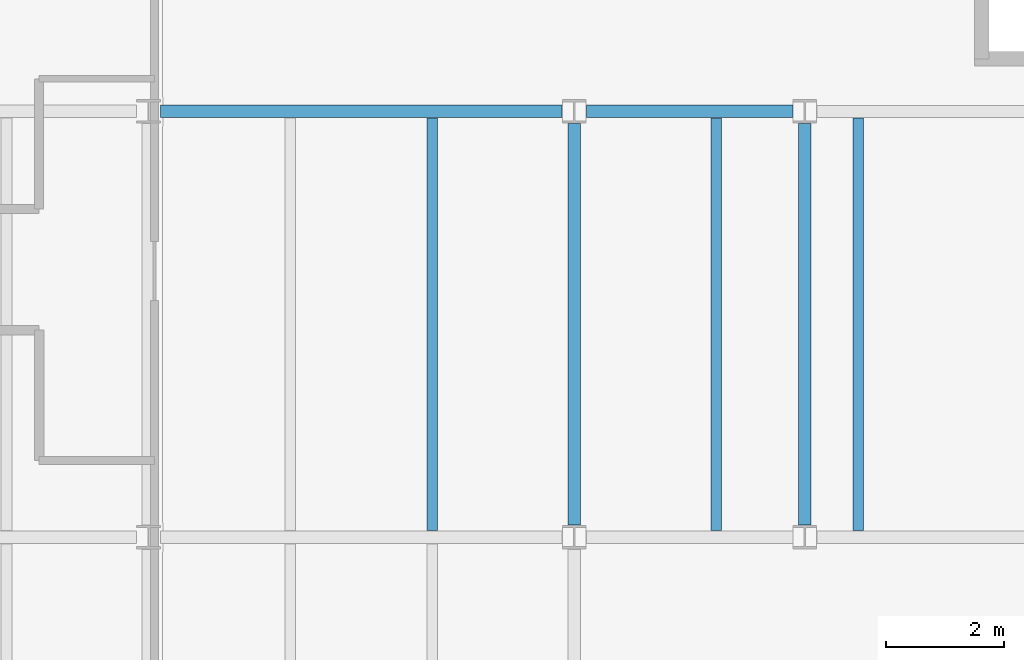
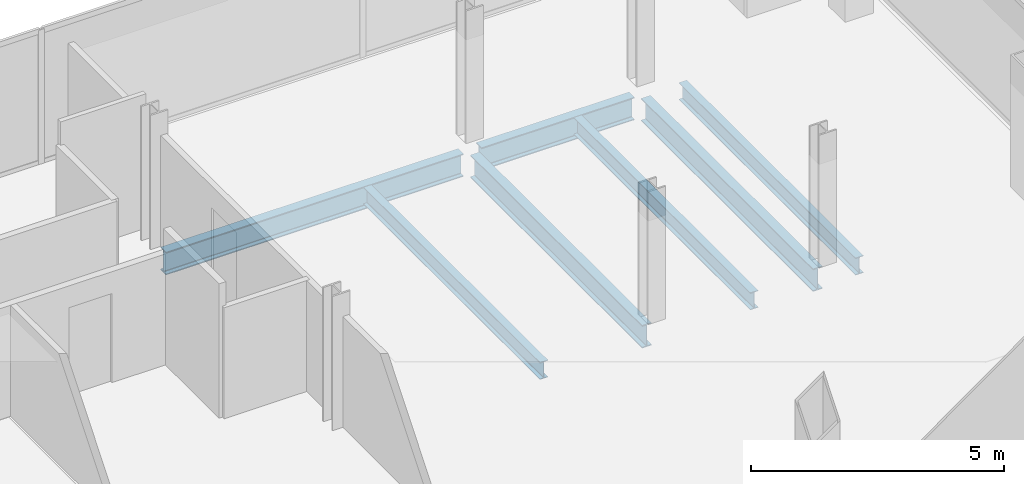
# One storey, part 15 of 23: 7 beams.
"""IFC4 building model written with IfcOpenShell, lengths in metres."""

from ifc_helpers import new_model, si_unit, direction, frame, origin, origin_2d, place, context, subcontext, project, spatial, i_section, extrude, material, material_profile, profile_set, type_object, element, save


model = new_model("IFC4")

# Units and contexts
model_context = context("Model", 3, precision=1e-05, world=origin(), true_north=direction((0.0, 1.0)))
body_context = subcontext(model_context, "Body", "Model", "MODEL_VIEW")
ifc_project = project(units=[si_unit("LENGTHUNIT", "METRE"), si_unit("AREAUNIT", "SQUARE_METRE"), si_unit("VOLUMEUNIT", "CUBIC_METRE"), si_unit("PLANEANGLEUNIT", "RADIAN"), si_unit("MASSUNIT", "GRAM", prefix="KILO")], contexts=[model_context])

# Site, building, storey
site_placement = place(None, origin())
site = spatial("IfcSite", under=ifc_project, at=site_placement, CompositionType="ELEMENT")
building_placement = place(site_placement, origin())
building = spatial("IfcBuilding", under=site, at=building_placement, Name="Cobrela Telecom Tower", CompositionType="ELEMENT")
storey_placement = place(building_placement, frame((0.0, 0.0, 262.14990234375)))
storey = spatial("IfcBuildingStorey", under=building, at=storey_placement, Name="L68", CompositionType="ELEMENT", Elevation=262.14990234375)

# Beams
ifc_material = material(Name="Steel ASTM A992 Grade 50", Category="steel")
ifc_material_profile_1 = material_profile(ifc_material, i_section(OverallWidth=0.212890625, OverallDepth=0.549072265625, WebThickness=0.0146484375, FlangeThickness=0.023681640625, FilletRadius=0.013916015625, at=origin_2d()), Name="W21X93")
ifc_profile_set_1 = profile_set([ifc_material_profile_1], Name="Steel ASTM A992 Grade 50")
beam_type_1 = type_object("IfcBeamType", Name="BM-GIRD-08", PredefinedType="USERDEFINED", material=ifc_profile_set_1)
beam_1_placement = place(storey_placement, frame((29.00439453125, 21.60009765625, -0.534423828125), z_axis=(1.0, 0.0, 0.0), x_axis=(0.0, 1.0, 0.0)))
element("IfcBeam", 1, at=beam_1_placement, inside=storey, type_object=beam_type_1, Name="L68 Primary Girder X12", ObjectType="GIRDER", PredefinedType="USERDEFINED", context=body_context, shape_type="SweptSolid", body=[
    extrude(i_section(OverallWidth=0.212890625, OverallDepth=0.549072265625, WebThickness=0.0146484375, FlangeThickness=0.023681640625, FilletRadius=0.013916015625, at=origin_2d()), origin(), (0.0, 0.0, 1.0), 6.791015625),
])
beam_2_placement = place(storey_placement, frame((36.20458984375, 21.60009765625, -0.534423828125), z_axis=(1.0, 0.0, 0.0), x_axis=(0.0, 1.0, 0.0)))
element("IfcBeam", 2, at=beam_2_placement, inside=storey, type_object=beam_type_1, Name="L68 Primary Girder X13", ObjectType="GIRDER", PredefinedType="USERDEFINED", context=body_context, shape_type="SweptSolid", body=[
    extrude(i_section(OverallWidth=0.212890625, OverallDepth=0.549072265625, WebThickness=0.0146484375, FlangeThickness=0.023681640625, FilletRadius=0.013916015625, at=origin_2d()), origin(), (0.0, 0.0, 1.0), 3.490966796875),
])
for number, where, z_axis, x_axis, name in (
    (3, (36.0, 14.6044921875, -0.534423828125), (0.0, 1.0, 0.0), (-1.0, 0.0, 0.0), "L68 Primary Girder Y32"),
    (4, (39.89990234375, 14.6044921875, -0.534423828125), (0.0, 1.0, 0.0), (-1.0, 0.0, 0.0), "L68 Primary Girder Y33"),
):
    element("IfcBeam", number, at=place(storey_placement, frame(where, z_axis=z_axis, x_axis=x_axis)), inside=storey, type_object=beam_type_1, Name=name, ObjectType="GIRDER", PredefinedType="USERDEFINED", context=body_context, shape_type="SweptSolid", body=[
        extrude(i_section(OverallWidth=0.212890625, OverallDepth=0.549072265625, WebThickness=0.0146484375, FlangeThickness=0.023681640625, FilletRadius=0.013916015625, at=origin_2d()), origin(), (0.0, 0.0, 1.0), 6.791015625),
    ])
ifc_material_profile_2 = material_profile(ifc_material, i_section(OverallWidth=0.179931640625, OverallDepth=0.4169921875, WebThickness=0.010986328125, FlangeThickness=0.01806640625, FilletRadius=0.011962890625, at=origin_2d()), Name="W16X57")
ifc_profile_set_2 = profile_set([ifc_material_profile_2], Name="Steel ASTM A992 Grade 50")
beam_type_2 = type_object("IfcBeamType", Name="BM-JOIST-04", PredefinedType="JOIST", material=ifc_profile_set_2)
for number, where, z_axis, x_axis, name in (
    (5, (33.60009765625, 14.511474609375, -0.468505859375), (0.0, 1.0, 0.0), (-1.0, 0.0, 0.0), "L68 Secondary Composite Floor Beam J14"),
    (6, (38.39990234375, 14.511474609375, -0.468505859375), (0.0, 1.0, 0.0), (-1.0, 0.0, 0.0), "L68 Secondary Composite Floor Beam J15"),
):
    element("IfcBeam", number, at=place(storey_placement, frame(where, z_axis=z_axis, x_axis=x_axis)), inside=storey, type_object=beam_type_2, Name=name, PredefinedType="JOIST", context=body_context, shape_type="SweptSolid", body=[
        extrude(i_section(OverallWidth=0.179931640625, OverallDepth=0.4169921875, WebThickness=0.010986328125, FlangeThickness=0.01806640625, FilletRadius=0.011962890625, at=origin_2d()), origin(), (0.0, 0.0, 1.0), 6.97705078125),
    ])
beam_3_placement = place(storey_placement, frame((40.800048828125, 14.511474609375, -0.468505859375), z_axis=(0.0, 1.0, 0.0), x_axis=(-1.0, 0.0, 0.0)))
element("IfcBeam", 7, at=beam_3_placement, inside=storey, type_object=beam_type_2, Name="L68 Secondary Composite Floor Beam J16", PredefinedType="JOIST", context=body_context, shape_type="SweptSolid", body=[
    extrude(i_section(OverallWidth=0.179931640625, OverallDepth=0.4169921875, WebThickness=0.010986328125, FlangeThickness=0.01806640625, FilletRadius=0.011962890625, at=origin_2d()), origin(), (0.0, 0.0, 1.0), 6.98095703125),
])

save(model, "model.ifc")
